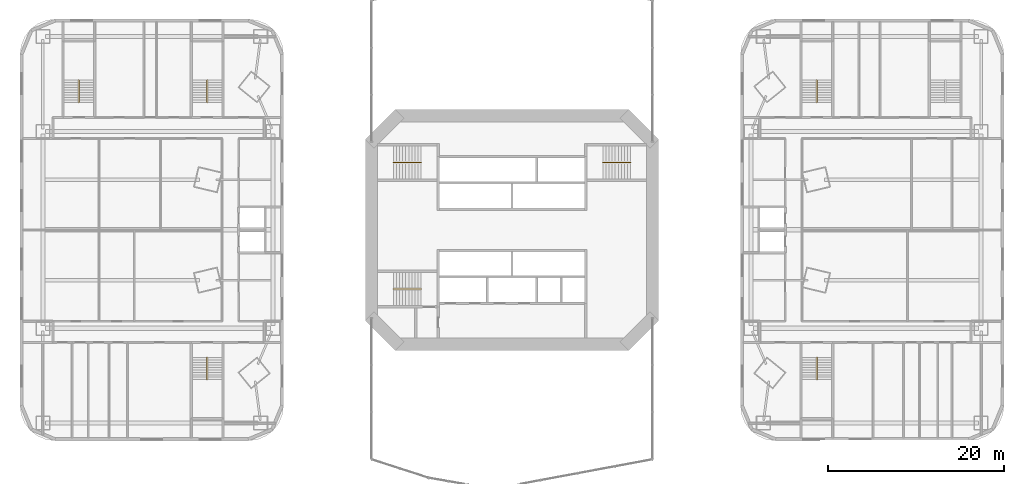
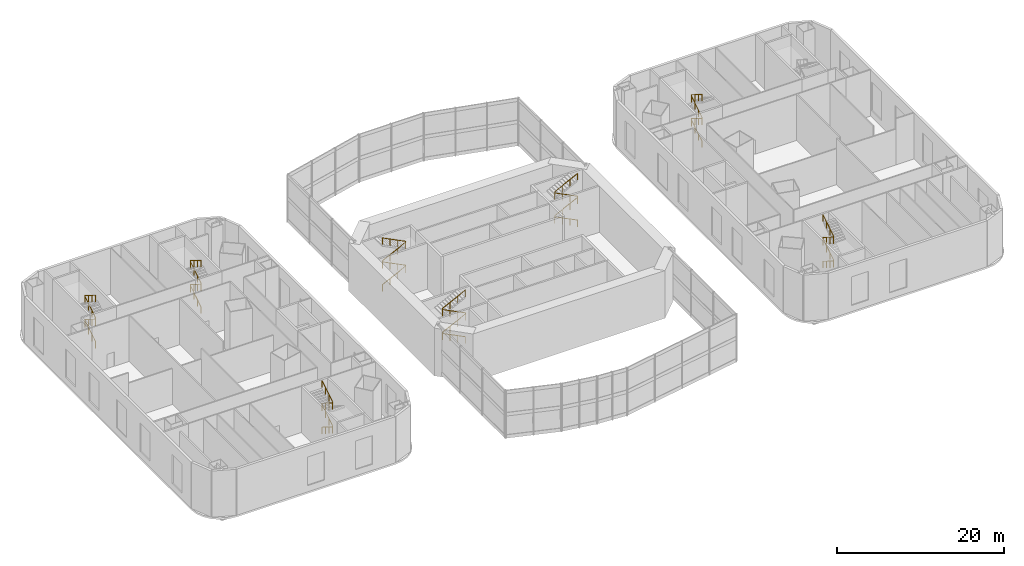
# One storey, part 18 of 19: 8 railings.
"""IFC4 building model written with IfcOpenShell, lengths in metres."""

from ifc_helpers import new_model, si_unit, direction, frame, origin, origin_2d, place, context, subcontext, project, spatial, circle, extrude, material, type_object, element, save


model = new_model("IFC4")

# Units and contexts
model_context = context("Model", 3, precision=1e-05, world=origin(), true_north=direction((0.0, 1.0)))
body_context = subcontext(model_context, "Body", "Model", "MODEL_VIEW")
ifc_project = project(units=[si_unit("LENGTHUNIT", "METRE"), si_unit("AREAUNIT", "SQUARE_METRE"), si_unit("VOLUMEUNIT", "CUBIC_METRE"), si_unit("PLANEANGLEUNIT", "RADIAN"), si_unit("MASSUNIT", "GRAM", prefix="KILO")], contexts=[model_context])

# Site, building, storey
site_placement = place(None, origin())
site = spatial("IfcSite", under=ifc_project, at=site_placement, CompositionType="ELEMENT")
building_placement = place(site_placement, origin())
building = spatial("IfcBuilding", under=site, at=building_placement, Name="Marenthal Gate Tower", CompositionType="ELEMENT")
storey_placement = place(building_placement, frame((0.0, 0.0, 12.0)))
storey = spatial("IfcBuildingStorey", under=building, at=storey_placement, Name="L01", CompositionType="ELEMENT", Elevation=12.0)

# Railings
ifc_material = material(Name="Stainless steel", Category="steel")
railing_type = type_object("IfcRailingType", Name="Stair handrail", PredefinedType="HANDRAIL", material=ifc_material)
railing_1_placement = place(storey_placement, frame((-13.5, 7.675048828125, 0.175048828125)))
element("IfcRailing", 1, at=railing_1_placement, inside=storey, type_object=railing_type, Name="Handrail ST1", PredefinedType="HANDRAIL", context=body_context, shape_type="SweptSolid", body=[
    extrude(circle(Radius=0.0224609375, at=origin_2d()), frame((0.0, 0.0, 0.927490234375), z_axis=(0.894427191, 0.0, 0.4472135955), x_axis=(0.0, 1.0, 0.0)), (0.0, 0.0, 1.0), 3.521728515625),
    extrude(circle(Radius=0.0224609375, at=origin_2d()), frame((3.14990234375, 0.0, 2.50244140625), z_axis=(0.0, 0.0, 1.0), x_axis=(1.0, 0.0, 0.0)), (0.0, 0.0, 1.0), 0.175048828125),
    extrude(circle(Radius=0.0224609375, at=origin_2d()), frame((3.14990234375, 0.0, 2.677490234375), z_axis=(-0.894427191, 0.0, 0.4472135955), x_axis=(0.0, -1.0, 0.0)), (0.0, 0.0, 1.0), 3.521728515625),
    extrude(circle(Radius=0.0224609375, at=origin_2d()), frame((0.0, 0.0, 4.25244140625), z_axis=(0.0, 0.0, 1.0), x_axis=(1.0, 0.0, 0.0)), (0.0, 0.0, 1.0), 0.175048828125),
    extrude(circle(Radius=0.0224609375, at=origin_2d()), frame((0.0, 0.0, 4.427490234375), z_axis=(0.894427191, 0.0, 0.4472135955), x_axis=(0.0, 1.0, 0.0)), (0.0, 0.0, 1.0), 3.521728515625),
    extrude(circle(Radius=0.0224609375, at=origin_2d()), frame((3.14990234375, 0.0, 6.00244140625), z_axis=(0.0, 0.0, 1.0), x_axis=(1.0, 0.0, 0.0)), (0.0, 0.0, 1.0), 0.175048828125),
    extrude(circle(Radius=0.0224609375, at=origin_2d()), frame((3.14990234375, 0.0, 6.177490234375), z_axis=(-0.894427191, 0.0, 0.4472135955), x_axis=(0.0, -1.0, 0.0)), (0.0, 0.0, 1.0), 3.521728515625),
    extrude(circle(Radius=0.02001953125, at=origin_2d()), origin(), (0.0, 0.0, 1.0), 0.905029296875),
    extrude(circle(Radius=0.02001953125, at=origin_2d()), frame((1.050048828125, 0.0, 0.52490234375)), (0.0, 0.0, 1.0), 0.905029296875),
    extrude(circle(Radius=0.02001953125, at=origin_2d()), frame((2.099853515625, 0.0, 1.050048828125)), (0.0, 0.0, 1.0), 0.905029296875),
    extrude(circle(Radius=0.02001953125, at=origin_2d()), frame((3.14990234375, 0.0, 1.574951171875)), (0.0, 0.0, 1.0), 0.905029296875),
    extrude(circle(Radius=0.02001953125, at=origin_2d()), frame((3.14990234375, 0.0, 1.75)), (0.0, 0.0, 1.0), 0.905029296875),
    extrude(circle(Radius=0.02001953125, at=origin_2d()), frame((2.099853515625, 0.0, 2.27490234375)), (0.0, 0.0, 1.0), 0.905029296875),
    extrude(circle(Radius=0.02001953125, at=origin_2d()), frame((1.050048828125, 0.0, 2.800048828125)), (0.0, 0.0, 1.0), 0.905029296875),
    extrude(circle(Radius=0.02001953125, at=origin_2d()), frame((0.0, 0.0, 3.324951171875)), (0.0, 0.0, 1.0), 0.905029296875),
    extrude(circle(Radius=0.02001953125, at=origin_2d()), frame((0.0, 0.0, 3.5)), (0.0, 0.0, 1.0), 0.905029296875),
    extrude(circle(Radius=0.02001953125, at=origin_2d()), frame((1.050048828125, 0.0, 4.02490234375)), (0.0, 0.0, 1.0), 0.905029296875),
    extrude(circle(Radius=0.02001953125, at=origin_2d()), frame((2.099853515625, 0.0, 4.550048828125)), (0.0, 0.0, 1.0), 0.905029296875),
    extrude(circle(Radius=0.02001953125, at=origin_2d()), frame((3.14990234375, 0.0, 5.074951171875)), (0.0, 0.0, 1.0), 0.905029296875),
    extrude(circle(Radius=0.02001953125, at=origin_2d()), frame((3.14990234375, 0.0, 5.25)), (0.0, 0.0, 1.0), 0.905029296875),
    extrude(circle(Radius=0.02001953125, at=origin_2d()), frame((2.099853515625, 0.0, 5.77490234375)), (0.0, 0.0, 1.0), 0.905029296875),
    extrude(circle(Radius=0.02001953125, at=origin_2d()), frame((1.050048828125, 0.0, 6.300048828125)), (0.0, 0.0, 1.0), 0.905029296875),
    extrude(circle(Radius=0.02001953125, at=origin_2d()), frame((0.0, 0.0, 6.824951171875)), (0.0, 0.0, 1.0), 0.905029296875),
])
railing_2_placement = place(storey_placement, frame((-10.35009765625, -6.72509765625, 0.175048828125)))
element("IfcRailing", 2, at=railing_2_placement, inside=storey, type_object=railing_type, Name="Handrail ST2", PredefinedType="HANDRAIL", context=body_context, shape_type="SweptSolid", body=[
    extrude(circle(Radius=0.0224609375, at=origin_2d()), frame((0.0, 0.0, 0.927490234375), z_axis=(-0.894427191, 0.0, 0.4472135955), x_axis=(0.0, -1.0, 0.0)), (0.0, 0.0, 1.0), 3.521728515625),
    extrude(circle(Radius=0.0224609375, at=origin_2d()), frame((-3.14990234375, 0.0, 2.50244140625), z_axis=(0.0, 0.0, 1.0), x_axis=(1.0, 0.0, 0.0)), (0.0, 0.0, 1.0), 0.175048828125),
    extrude(circle(Radius=0.0224609375, at=origin_2d()), frame((-3.14990234375, 0.0, 2.677490234375), z_axis=(0.894427191, 0.0, 0.4472135955), x_axis=(0.0, 1.0, 0.0)), (0.0, 0.0, 1.0), 3.521728515625),
    extrude(circle(Radius=0.0224609375, at=origin_2d()), frame((0.0, 0.0, 4.25244140625), z_axis=(0.0, 0.0, 1.0), x_axis=(1.0, 0.0, 0.0)), (0.0, 0.0, 1.0), 0.175048828125),
    extrude(circle(Radius=0.0224609375, at=origin_2d()), frame((0.0, 0.0, 4.427490234375), z_axis=(-0.894427191, 0.0, 0.4472135955), x_axis=(0.0, -1.0, 0.0)), (0.0, 0.0, 1.0), 3.521728515625),
    extrude(circle(Radius=0.0224609375, at=origin_2d()), frame((-3.14990234375, 0.0, 6.00244140625), z_axis=(0.0, 0.0, 1.0), x_axis=(1.0, 0.0, 0.0)), (0.0, 0.0, 1.0), 0.175048828125),
    extrude(circle(Radius=0.0224609375, at=origin_2d()), frame((-3.14990234375, 0.0, 6.177490234375), z_axis=(0.894427191, 0.0, 0.4472135955), x_axis=(0.0, 1.0, 0.0)), (0.0, 0.0, 1.0), 3.521728515625),
    extrude(circle(Radius=0.02001953125, at=origin_2d()), origin(), (0.0, 0.0, 1.0), 0.905029296875),
    extrude(circle(Radius=0.02001953125, at=origin_2d()), frame((-1.050048828125, 0.0, 0.52490234375)), (0.0, 0.0, 1.0), 0.905029296875),
    extrude(circle(Radius=0.02001953125, at=origin_2d()), frame((-2.099853515625, 0.0, 1.050048828125)), (0.0, 0.0, 1.0), 0.905029296875),
    extrude(circle(Radius=0.02001953125, at=origin_2d()), frame((-3.14990234375, 0.0, 1.574951171875)), (0.0, 0.0, 1.0), 0.905029296875),
    extrude(circle(Radius=0.02001953125, at=origin_2d()), frame((-3.14990234375, 0.0, 1.75)), (0.0, 0.0, 1.0), 0.905029296875),
    extrude(circle(Radius=0.02001953125, at=origin_2d()), frame((-2.099853515625, 0.0, 2.27490234375)), (0.0, 0.0, 1.0), 0.905029296875),
    extrude(circle(Radius=0.02001953125, at=origin_2d()), frame((-1.050048828125, 0.0, 2.800048828125)), (0.0, 0.0, 1.0), 0.905029296875),
    extrude(circle(Radius=0.02001953125, at=origin_2d()), frame((0.0, 0.0, 3.324951171875)), (0.0, 0.0, 1.0), 0.905029296875),
    extrude(circle(Radius=0.02001953125, at=origin_2d()), frame((0.0, 0.0, 3.5)), (0.0, 0.0, 1.0), 0.905029296875),
    extrude(circle(Radius=0.02001953125, at=origin_2d()), frame((-1.050048828125, 0.0, 4.02490234375)), (0.0, 0.0, 1.0), 0.905029296875),
    extrude(circle(Radius=0.02001953125, at=origin_2d()), frame((-2.099853515625, 0.0, 4.550048828125)), (0.0, 0.0, 1.0), 0.905029296875),
    extrude(circle(Radius=0.02001953125, at=origin_2d()), frame((-3.14990234375, 0.0, 5.074951171875)), (0.0, 0.0, 1.0), 0.905029296875),
    extrude(circle(Radius=0.02001953125, at=origin_2d()), frame((-3.14990234375, 0.0, 5.25)), (0.0, 0.0, 1.0), 0.905029296875),
    extrude(circle(Radius=0.02001953125, at=origin_2d()), frame((-2.099853515625, 0.0, 5.77490234375)), (0.0, 0.0, 1.0), 0.905029296875),
    extrude(circle(Radius=0.02001953125, at=origin_2d()), frame((-1.050048828125, 0.0, 6.300048828125)), (0.0, 0.0, 1.0), 0.905029296875),
    extrude(circle(Radius=0.02001953125, at=origin_2d()), frame((0.0, 0.0, 6.824951171875)), (0.0, 0.0, 1.0), 0.905029296875),
])
railing_3_placement = place(storey_placement, frame((13.5, 7.675048828125, 0.175048828125)))
element("IfcRailing", 3, at=railing_3_placement, inside=storey, type_object=railing_type, Name="Handrail ST3", PredefinedType="HANDRAIL", context=body_context, shape_type="SweptSolid", body=[
    extrude(circle(Radius=0.0224609375, at=origin_2d()), frame((0.0, 0.0, 0.927490234375), z_axis=(-0.894427191, 0.0, 0.4472135955), x_axis=(0.0, -1.0, 0.0)), (0.0, 0.0, 1.0), 3.521728515625),
    extrude(circle(Radius=0.0224609375, at=origin_2d()), frame((-3.14990234375, 0.0, 2.50244140625), z_axis=(0.0, 0.0, 1.0), x_axis=(1.0, 0.0, 0.0)), (0.0, 0.0, 1.0), 0.175048828125),
    extrude(circle(Radius=0.0224609375, at=origin_2d()), frame((-3.14990234375, 0.0, 2.677490234375), z_axis=(0.894427191, 0.0, 0.4472135955), x_axis=(0.0, 1.0, 0.0)), (0.0, 0.0, 1.0), 3.521728515625),
    extrude(circle(Radius=0.0224609375, at=origin_2d()), frame((0.0, 0.0, 4.25244140625), z_axis=(0.0, 0.0, 1.0), x_axis=(1.0, 0.0, 0.0)), (0.0, 0.0, 1.0), 0.175048828125),
    extrude(circle(Radius=0.0224609375, at=origin_2d()), frame((0.0, 0.0, 4.427490234375), z_axis=(-0.894427191, 0.0, 0.4472135955), x_axis=(0.0, -1.0, 0.0)), (0.0, 0.0, 1.0), 3.521728515625),
    extrude(circle(Radius=0.0224609375, at=origin_2d()), frame((-3.14990234375, 0.0, 6.00244140625), z_axis=(0.0, 0.0, 1.0), x_axis=(1.0, 0.0, 0.0)), (0.0, 0.0, 1.0), 0.175048828125),
    extrude(circle(Radius=0.0224609375, at=origin_2d()), frame((-3.14990234375, 0.0, 6.177490234375), z_axis=(0.894427191, 0.0, 0.4472135955), x_axis=(0.0, 1.0, 0.0)), (0.0, 0.0, 1.0), 3.521728515625),
    extrude(circle(Radius=0.02001953125, at=origin_2d()), origin(), (0.0, 0.0, 1.0), 0.905029296875),
    extrude(circle(Radius=0.02001953125, at=origin_2d()), frame((-1.050048828125, 0.0, 0.52490234375)), (0.0, 0.0, 1.0), 0.905029296875),
    extrude(circle(Radius=0.02001953125, at=origin_2d()), frame((-2.099853515625, 0.0, 1.050048828125)), (0.0, 0.0, 1.0), 0.905029296875),
    extrude(circle(Radius=0.02001953125, at=origin_2d()), frame((-3.14990234375, 0.0, 1.574951171875)), (0.0, 0.0, 1.0), 0.905029296875),
    extrude(circle(Radius=0.02001953125, at=origin_2d()), frame((-3.14990234375, 0.0, 1.75)), (0.0, 0.0, 1.0), 0.905029296875),
    extrude(circle(Radius=0.02001953125, at=origin_2d()), frame((-2.099853515625, 0.0, 2.27490234375)), (0.0, 0.0, 1.0), 0.905029296875),
    extrude(circle(Radius=0.02001953125, at=origin_2d()), frame((-1.050048828125, 0.0, 2.800048828125)), (0.0, 0.0, 1.0), 0.905029296875),
    extrude(circle(Radius=0.02001953125, at=origin_2d()), frame((0.0, 0.0, 3.324951171875)), (0.0, 0.0, 1.0), 0.905029296875),
    extrude(circle(Radius=0.02001953125, at=origin_2d()), frame((0.0, 0.0, 3.5)), (0.0, 0.0, 1.0), 0.905029296875),
    extrude(circle(Radius=0.02001953125, at=origin_2d()), frame((-1.050048828125, 0.0, 4.02490234375)), (0.0, 0.0, 1.0), 0.905029296875),
    extrude(circle(Radius=0.02001953125, at=origin_2d()), frame((-2.099853515625, 0.0, 4.550048828125)), (0.0, 0.0, 1.0), 0.905029296875),
    extrude(circle(Radius=0.02001953125, at=origin_2d()), frame((-3.14990234375, 0.0, 5.074951171875)), (0.0, 0.0, 1.0), 0.905029296875),
    extrude(circle(Radius=0.02001953125, at=origin_2d()), frame((-3.14990234375, 0.0, 5.25)), (0.0, 0.0, 1.0), 0.905029296875),
    extrude(circle(Radius=0.02001953125, at=origin_2d()), frame((-2.099853515625, 0.0, 5.77490234375)), (0.0, 0.0, 1.0), 0.905029296875),
    extrude(circle(Radius=0.02001953125, at=origin_2d()), frame((-1.050048828125, 0.0, 6.300048828125)), (0.0, 0.0, 1.0), 0.905029296875),
    extrude(circle(Radius=0.02001953125, at=origin_2d()), frame((0.0, 0.0, 6.824951171875)), (0.0, 0.0, 1.0), 0.905029296875),
])
railing_4_placement = place(storey_placement, frame((34.699951171875, 14.52490234375, 0.175048828125)))
element("IfcRailing", 4, at=railing_4_placement, inside=storey, type_object=railing_type, Name="Handrail E1", PredefinedType="HANDRAIL", context=body_context, shape_type="SweptSolid", body=[
    extrude(circle(Radius=0.0224609375, at=origin_2d()), frame((0.0, 0.0, 0.927490234375), z_axis=(0.0, 0.848007534815, 0.529984170421), x_axis=(-1.0, 0.0, 0.0)), (0.0, 0.0, 1.0), 2.9716796875),
    extrude(circle(Radius=0.0224609375, at=origin_2d()), frame((0.0, 2.52001953125, 2.50244140625), z_axis=(0.0, 0.0, 1.0), x_axis=(1.0, 0.0, 0.0)), (0.0, 0.0, 1.0), 0.175048828125),
    extrude(circle(Radius=0.0224609375, at=origin_2d()), frame((0.0, 2.52001953125, 2.677490234375), z_axis=(0.0, -0.848007534815, 0.529984170421), x_axis=(1.0, 0.0, 0.0)), (0.0, 0.0, 1.0), 2.9716796875),
    extrude(circle(Radius=0.0224609375, at=origin_2d()), frame((0.0, 0.0, 4.25244140625), z_axis=(0.0, 0.0, 1.0), x_axis=(1.0, 0.0, 0.0)), (0.0, 0.0, 1.0), 0.175048828125),
    extrude(circle(Radius=0.0224609375, at=origin_2d()), frame((0.0, 0.0, 4.427490234375), z_axis=(0.0, 0.848007534815, 0.529984170421), x_axis=(-1.0, 0.0, 0.0)), (0.0, 0.0, 1.0), 2.9716796875),
    extrude(circle(Radius=0.0224609375, at=origin_2d()), frame((0.0, 2.52001953125, 6.00244140625), z_axis=(0.0, 0.0, 1.0), x_axis=(1.0, 0.0, 0.0)), (0.0, 0.0, 1.0), 0.175048828125),
    extrude(circle(Radius=0.0224609375, at=origin_2d()), frame((0.0, 2.52001953125, 6.177490234375), z_axis=(0.0, -0.848007534815, 0.529984170421), x_axis=(1.0, 0.0, 0.0)), (0.0, 0.0, 1.0), 2.9716796875),
    extrude(circle(Radius=0.02001953125, at=origin_2d()), origin(), (0.0, 0.0, 1.0), 0.905029296875),
    extrude(circle(Radius=0.02001953125, at=origin_2d()), frame((0.0, 0.840087890625, 0.52490234375)), (0.0, 0.0, 1.0), 0.905029296875),
    extrude(circle(Radius=0.02001953125, at=origin_2d()), frame((0.0, 1.679931640625, 1.050048828125)), (0.0, 0.0, 1.0), 0.905029296875),
    extrude(circle(Radius=0.02001953125, at=origin_2d()), frame((0.0, 2.52001953125, 1.574951171875)), (0.0, 0.0, 1.0), 0.905029296875),
    extrude(circle(Radius=0.02001953125, at=origin_2d()), frame((0.0, 2.52001953125, 1.75)), (0.0, 0.0, 1.0), 0.905029296875),
    extrude(circle(Radius=0.02001953125, at=origin_2d()), frame((0.0, 1.679931640625, 2.27490234375)), (0.0, 0.0, 1.0), 0.905029296875),
    extrude(circle(Radius=0.02001953125, at=origin_2d()), frame((0.0, 0.840087890625, 2.800048828125)), (0.0, 0.0, 1.0), 0.905029296875),
    extrude(circle(Radius=0.02001953125, at=origin_2d()), frame((0.0, 0.0, 3.324951171875)), (0.0, 0.0, 1.0), 0.905029296875),
    extrude(circle(Radius=0.02001953125, at=origin_2d()), frame((0.0, 0.0, 3.5)), (0.0, 0.0, 1.0), 0.905029296875),
    extrude(circle(Radius=0.02001953125, at=origin_2d()), frame((0.0, 0.840087890625, 4.02490234375)), (0.0, 0.0, 1.0), 0.905029296875),
    extrude(circle(Radius=0.02001953125, at=origin_2d()), frame((0.0, 1.679931640625, 4.550048828125)), (0.0, 0.0, 1.0), 0.905029296875),
    extrude(circle(Radius=0.02001953125, at=origin_2d()), frame((0.0, 2.52001953125, 5.074951171875)), (0.0, 0.0, 1.0), 0.905029296875),
    extrude(circle(Radius=0.02001953125, at=origin_2d()), frame((0.0, 2.52001953125, 5.25)), (0.0, 0.0, 1.0), 0.905029296875),
    extrude(circle(Radius=0.02001953125, at=origin_2d()), frame((0.0, 1.679931640625, 5.77490234375)), (0.0, 0.0, 1.0), 0.905029296875),
    extrude(circle(Radius=0.02001953125, at=origin_2d()), frame((0.0, 0.840087890625, 6.300048828125)), (0.0, 0.0, 1.0), 0.905029296875),
    extrude(circle(Radius=0.02001953125, at=origin_2d()), frame((0.0, 0.0, 6.824951171875)), (0.0, 0.0, 1.0), 0.905029296875),
])
railing_5_placement = place(storey_placement, frame((34.699951171875, -14.52490234375, 0.175048828125)))
element("IfcRailing", 5, at=railing_5_placement, inside=storey, type_object=railing_type, Name="Handrail E2", PredefinedType="HANDRAIL", context=body_context, shape_type="SweptSolid", body=[
    extrude(circle(Radius=0.0224609375, at=origin_2d()), frame((0.0, 0.0, 0.927490234375), z_axis=(0.0, -0.848007534815, 0.529984170421), x_axis=(1.0, 0.0, 0.0)), (0.0, 0.0, 1.0), 2.9716796875),
    extrude(circle(Radius=0.0224609375, at=origin_2d()), frame((0.0, -2.52001953125, 2.50244140625), z_axis=(0.0, 0.0, 1.0), x_axis=(1.0, 0.0, 0.0)), (0.0, 0.0, 1.0), 0.175048828125),
    extrude(circle(Radius=0.0224609375, at=origin_2d()), frame((0.0, -2.52001953125, 2.677490234375), z_axis=(0.0, 0.848007534815, 0.529984170421), x_axis=(-1.0, 0.0, 0.0)), (0.0, 0.0, 1.0), 2.9716796875),
    extrude(circle(Radius=0.0224609375, at=origin_2d()), frame((0.0, 0.0, 4.25244140625), z_axis=(0.0, 0.0, 1.0), x_axis=(1.0, 0.0, 0.0)), (0.0, 0.0, 1.0), 0.175048828125),
    extrude(circle(Radius=0.0224609375, at=origin_2d()), frame((0.0, 0.0, 4.427490234375), z_axis=(0.0, -0.848007534815, 0.529984170421), x_axis=(1.0, 0.0, 0.0)), (0.0, 0.0, 1.0), 2.9716796875),
    extrude(circle(Radius=0.0224609375, at=origin_2d()), frame((0.0, -2.52001953125, 6.00244140625), z_axis=(0.0, 0.0, 1.0), x_axis=(1.0, 0.0, 0.0)), (0.0, 0.0, 1.0), 0.175048828125),
    extrude(circle(Radius=0.0224609375, at=origin_2d()), frame((0.0, -2.52001953125, 6.177490234375), z_axis=(0.0, 0.848007534815, 0.529984170421), x_axis=(-1.0, 0.0, 0.0)), (0.0, 0.0, 1.0), 2.9716796875),
    extrude(circle(Radius=0.02001953125, at=origin_2d()), origin(), (0.0, 0.0, 1.0), 0.905029296875),
    extrude(circle(Radius=0.02001953125, at=origin_2d()), frame((0.0, -0.840087890625, 0.52490234375)), (0.0, 0.0, 1.0), 0.905029296875),
    extrude(circle(Radius=0.02001953125, at=origin_2d()), frame((0.0, -1.679931640625, 1.050048828125)), (0.0, 0.0, 1.0), 0.905029296875),
    extrude(circle(Radius=0.02001953125, at=origin_2d()), frame((0.0, -2.52001953125, 1.574951171875)), (0.0, 0.0, 1.0), 0.905029296875),
    extrude(circle(Radius=0.02001953125, at=origin_2d()), frame((0.0, -2.52001953125, 1.75)), (0.0, 0.0, 1.0), 0.905029296875),
    extrude(circle(Radius=0.02001953125, at=origin_2d()), frame((0.0, -1.679931640625, 2.27490234375)), (0.0, 0.0, 1.0), 0.905029296875),
    extrude(circle(Radius=0.02001953125, at=origin_2d()), frame((0.0, -0.840087890625, 2.800048828125)), (0.0, 0.0, 1.0), 0.905029296875),
    extrude(circle(Radius=0.02001953125, at=origin_2d()), frame((0.0, 0.0, 3.324951171875)), (0.0, 0.0, 1.0), 0.905029296875),
    extrude(circle(Radius=0.02001953125, at=origin_2d()), frame((0.0, 0.0, 3.5)), (0.0, 0.0, 1.0), 0.905029296875),
    extrude(circle(Radius=0.02001953125, at=origin_2d()), frame((0.0, -0.840087890625, 4.02490234375)), (0.0, 0.0, 1.0), 0.905029296875),
    extrude(circle(Radius=0.02001953125, at=origin_2d()), frame((0.0, -1.679931640625, 4.550048828125)), (0.0, 0.0, 1.0), 0.905029296875),
    extrude(circle(Radius=0.02001953125, at=origin_2d()), frame((0.0, -2.52001953125, 5.074951171875)), (0.0, 0.0, 1.0), 0.905029296875),
    extrude(circle(Radius=0.02001953125, at=origin_2d()), frame((0.0, -2.52001953125, 5.25)), (0.0, 0.0, 1.0), 0.905029296875),
    extrude(circle(Radius=0.02001953125, at=origin_2d()), frame((0.0, -1.679931640625, 5.77490234375)), (0.0, 0.0, 1.0), 0.905029296875),
    extrude(circle(Radius=0.02001953125, at=origin_2d()), frame((0.0, -0.840087890625, 6.300048828125)), (0.0, 0.0, 1.0), 0.905029296875),
    extrude(circle(Radius=0.02001953125, at=origin_2d()), frame((0.0, 0.0, 6.824951171875)), (0.0, 0.0, 1.0), 0.905029296875),
])
railing_6_placement = place(storey_placement, frame((-34.699951171875, 14.52490234375, 0.175048828125)))
element("IfcRailing", 6, at=railing_6_placement, inside=storey, type_object=railing_type, Name="Handrail W1", PredefinedType="HANDRAIL", context=body_context, shape_type="SweptSolid", body=[
    extrude(circle(Radius=0.0224609375, at=origin_2d()), frame((0.0, 0.0, 0.927490234375), z_axis=(0.0, 0.848007534815, 0.529984170421), x_axis=(-1.0, 0.0, 0.0)), (0.0, 0.0, 1.0), 2.9716796875),
    extrude(circle(Radius=0.0224609375, at=origin_2d()), frame((0.0, 2.52001953125, 2.50244140625), z_axis=(0.0, 0.0, 1.0), x_axis=(1.0, 0.0, 0.0)), (0.0, 0.0, 1.0), 0.175048828125),
    extrude(circle(Radius=0.0224609375, at=origin_2d()), frame((0.0, 2.52001953125, 2.677490234375), z_axis=(0.0, -0.848007534815, 0.529984170421), x_axis=(1.0, 0.0, 0.0)), (0.0, 0.0, 1.0), 2.9716796875),
    extrude(circle(Radius=0.0224609375, at=origin_2d()), frame((0.0, 0.0, 4.25244140625), z_axis=(0.0, 0.0, 1.0), x_axis=(1.0, 0.0, 0.0)), (0.0, 0.0, 1.0), 0.175048828125),
    extrude(circle(Radius=0.0224609375, at=origin_2d()), frame((0.0, 0.0, 4.427490234375), z_axis=(0.0, 0.848007534815, 0.529984170421), x_axis=(-1.0, 0.0, 0.0)), (0.0, 0.0, 1.0), 2.9716796875),
    extrude(circle(Radius=0.0224609375, at=origin_2d()), frame((0.0, 2.52001953125, 6.00244140625), z_axis=(0.0, 0.0, 1.0), x_axis=(1.0, 0.0, 0.0)), (0.0, 0.0, 1.0), 0.175048828125),
    extrude(circle(Radius=0.0224609375, at=origin_2d()), frame((0.0, 2.52001953125, 6.177490234375), z_axis=(0.0, -0.848007534815, 0.529984170421), x_axis=(1.0, 0.0, 0.0)), (0.0, 0.0, 1.0), 2.9716796875),
    extrude(circle(Radius=0.02001953125, at=origin_2d()), origin(), (0.0, 0.0, 1.0), 0.905029296875),
    extrude(circle(Radius=0.02001953125, at=origin_2d()), frame((0.0, 0.840087890625, 0.52490234375)), (0.0, 0.0, 1.0), 0.905029296875),
    extrude(circle(Radius=0.02001953125, at=origin_2d()), frame((0.0, 1.679931640625, 1.050048828125)), (0.0, 0.0, 1.0), 0.905029296875),
    extrude(circle(Radius=0.02001953125, at=origin_2d()), frame((0.0, 2.52001953125, 1.574951171875)), (0.0, 0.0, 1.0), 0.905029296875),
    extrude(circle(Radius=0.02001953125, at=origin_2d()), frame((0.0, 2.52001953125, 1.75)), (0.0, 0.0, 1.0), 0.905029296875),
    extrude(circle(Radius=0.02001953125, at=origin_2d()), frame((0.0, 1.679931640625, 2.27490234375)), (0.0, 0.0, 1.0), 0.905029296875),
    extrude(circle(Radius=0.02001953125, at=origin_2d()), frame((0.0, 0.840087890625, 2.800048828125)), (0.0, 0.0, 1.0), 0.905029296875),
    extrude(circle(Radius=0.02001953125, at=origin_2d()), frame((0.0, 0.0, 3.324951171875)), (0.0, 0.0, 1.0), 0.905029296875),
    extrude(circle(Radius=0.02001953125, at=origin_2d()), frame((0.0, 0.0, 3.5)), (0.0, 0.0, 1.0), 0.905029296875),
    extrude(circle(Radius=0.02001953125, at=origin_2d()), frame((0.0, 0.840087890625, 4.02490234375)), (0.0, 0.0, 1.0), 0.905029296875),
    extrude(circle(Radius=0.02001953125, at=origin_2d()), frame((0.0, 1.679931640625, 4.550048828125)), (0.0, 0.0, 1.0), 0.905029296875),
    extrude(circle(Radius=0.02001953125, at=origin_2d()), frame((0.0, 2.52001953125, 5.074951171875)), (0.0, 0.0, 1.0), 0.905029296875),
    extrude(circle(Radius=0.02001953125, at=origin_2d()), frame((0.0, 2.52001953125, 5.25)), (0.0, 0.0, 1.0), 0.905029296875),
    extrude(circle(Radius=0.02001953125, at=origin_2d()), frame((0.0, 1.679931640625, 5.77490234375)), (0.0, 0.0, 1.0), 0.905029296875),
    extrude(circle(Radius=0.02001953125, at=origin_2d()), frame((0.0, 0.840087890625, 6.300048828125)), (0.0, 0.0, 1.0), 0.905029296875),
    extrude(circle(Radius=0.02001953125, at=origin_2d()), frame((0.0, 0.0, 6.824951171875)), (0.0, 0.0, 1.0), 0.905029296875),
])
railing_7_placement = place(storey_placement, frame((-34.699951171875, -14.52490234375, 0.175048828125)))
element("IfcRailing", 7, at=railing_7_placement, inside=storey, type_object=railing_type, Name="Handrail W2", PredefinedType="HANDRAIL", context=body_context, shape_type="SweptSolid", body=[
    extrude(circle(Radius=0.0224609375, at=origin_2d()), frame((0.0, 0.0, 0.927490234375), z_axis=(0.0, -0.848007534815, 0.529984170421), x_axis=(1.0, 0.0, 0.0)), (0.0, 0.0, 1.0), 2.9716796875),
    extrude(circle(Radius=0.0224609375, at=origin_2d()), frame((0.0, -2.52001953125, 2.50244140625), z_axis=(0.0, 0.0, 1.0), x_axis=(1.0, 0.0, 0.0)), (0.0, 0.0, 1.0), 0.175048828125),
    extrude(circle(Radius=0.0224609375, at=origin_2d()), frame((0.0, -2.52001953125, 2.677490234375), z_axis=(0.0, 0.848007534815, 0.529984170421), x_axis=(-1.0, 0.0, 0.0)), (0.0, 0.0, 1.0), 2.9716796875),
    extrude(circle(Radius=0.0224609375, at=origin_2d()), frame((0.0, 0.0, 4.25244140625), z_axis=(0.0, 0.0, 1.0), x_axis=(1.0, 0.0, 0.0)), (0.0, 0.0, 1.0), 0.175048828125),
    extrude(circle(Radius=0.0224609375, at=origin_2d()), frame((0.0, 0.0, 4.427490234375), z_axis=(0.0, -0.848007534815, 0.529984170421), x_axis=(1.0, 0.0, 0.0)), (0.0, 0.0, 1.0), 2.9716796875),
    extrude(circle(Radius=0.0224609375, at=origin_2d()), frame((0.0, -2.52001953125, 6.00244140625), z_axis=(0.0, 0.0, 1.0), x_axis=(1.0, 0.0, 0.0)), (0.0, 0.0, 1.0), 0.175048828125),
    extrude(circle(Radius=0.0224609375, at=origin_2d()), frame((0.0, -2.52001953125, 6.177490234375), z_axis=(0.0, 0.848007534815, 0.529984170421), x_axis=(-1.0, 0.0, 0.0)), (0.0, 0.0, 1.0), 2.9716796875),
    extrude(circle(Radius=0.02001953125, at=origin_2d()), origin(), (0.0, 0.0, 1.0), 0.905029296875),
    extrude(circle(Radius=0.02001953125, at=origin_2d()), frame((0.0, -0.840087890625, 0.52490234375)), (0.0, 0.0, 1.0), 0.905029296875),
    extrude(circle(Radius=0.02001953125, at=origin_2d()), frame((0.0, -1.679931640625, 1.050048828125)), (0.0, 0.0, 1.0), 0.905029296875),
    extrude(circle(Radius=0.02001953125, at=origin_2d()), frame((0.0, -2.52001953125, 1.574951171875)), (0.0, 0.0, 1.0), 0.905029296875),
    extrude(circle(Radius=0.02001953125, at=origin_2d()), frame((0.0, -2.52001953125, 1.75)), (0.0, 0.0, 1.0), 0.905029296875),
    extrude(circle(Radius=0.02001953125, at=origin_2d()), frame((0.0, -1.679931640625, 2.27490234375)), (0.0, 0.0, 1.0), 0.905029296875),
    extrude(circle(Radius=0.02001953125, at=origin_2d()), frame((0.0, -0.840087890625, 2.800048828125)), (0.0, 0.0, 1.0), 0.905029296875),
    extrude(circle(Radius=0.02001953125, at=origin_2d()), frame((0.0, 0.0, 3.324951171875)), (0.0, 0.0, 1.0), 0.905029296875),
    extrude(circle(Radius=0.02001953125, at=origin_2d()), frame((0.0, 0.0, 3.5)), (0.0, 0.0, 1.0), 0.905029296875),
    extrude(circle(Radius=0.02001953125, at=origin_2d()), frame((0.0, -0.840087890625, 4.02490234375)), (0.0, 0.0, 1.0), 0.905029296875),
    extrude(circle(Radius=0.02001953125, at=origin_2d()), frame((0.0, -1.679931640625, 4.550048828125)), (0.0, 0.0, 1.0), 0.905029296875),
    extrude(circle(Radius=0.02001953125, at=origin_2d()), frame((0.0, -2.52001953125, 5.074951171875)), (0.0, 0.0, 1.0), 0.905029296875),
    extrude(circle(Radius=0.02001953125, at=origin_2d()), frame((0.0, -2.52001953125, 5.25)), (0.0, 0.0, 1.0), 0.905029296875),
    extrude(circle(Radius=0.02001953125, at=origin_2d()), frame((0.0, -1.679931640625, 5.77490234375)), (0.0, 0.0, 1.0), 0.905029296875),
    extrude(circle(Radius=0.02001953125, at=origin_2d()), frame((0.0, -0.840087890625, 6.300048828125)), (0.0, 0.0, 1.0), 0.905029296875),
    extrude(circle(Radius=0.02001953125, at=origin_2d()), frame((0.0, 0.0, 6.824951171875)), (0.0, 0.0, 1.0), 0.905029296875),
])
railing_8_placement = place(storey_placement, frame((-49.300048828125, 14.52490234375, 0.175048828125)))
element("IfcRailing", 8, at=railing_8_placement, inside=storey, type_object=railing_type, Name="Handrail W3", PredefinedType="HANDRAIL", context=body_context, shape_type="SweptSolid", body=[
    extrude(circle(Radius=0.0224609375, at=origin_2d()), frame((0.0, 0.0, 0.927490234375), z_axis=(0.0, 0.848007534815, 0.529984170421), x_axis=(-1.0, 0.0, 0.0)), (0.0, 0.0, 1.0), 2.9716796875),
    extrude(circle(Radius=0.0224609375, at=origin_2d()), frame((0.0, 2.52001953125, 2.50244140625), z_axis=(0.0, 0.0, 1.0), x_axis=(1.0, 0.0, 0.0)), (0.0, 0.0, 1.0), 0.175048828125),
    extrude(circle(Radius=0.0224609375, at=origin_2d()), frame((0.0, 2.52001953125, 2.677490234375), z_axis=(0.0, -0.848007534815, 0.529984170421), x_axis=(1.0, 0.0, 0.0)), (0.0, 0.0, 1.0), 2.9716796875),
    extrude(circle(Radius=0.0224609375, at=origin_2d()), frame((0.0, 0.0, 4.25244140625), z_axis=(0.0, 0.0, 1.0), x_axis=(1.0, 0.0, 0.0)), (0.0, 0.0, 1.0), 0.175048828125),
    extrude(circle(Radius=0.0224609375, at=origin_2d()), frame((0.0, 0.0, 4.427490234375), z_axis=(0.0, 0.848007534815, 0.529984170421), x_axis=(-1.0, 0.0, 0.0)), (0.0, 0.0, 1.0), 2.9716796875),
    extrude(circle(Radius=0.0224609375, at=origin_2d()), frame((0.0, 2.52001953125, 6.00244140625), z_axis=(0.0, 0.0, 1.0), x_axis=(1.0, 0.0, 0.0)), (0.0, 0.0, 1.0), 0.175048828125),
    extrude(circle(Radius=0.0224609375, at=origin_2d()), frame((0.0, 2.52001953125, 6.177490234375), z_axis=(0.0, -0.848007534815, 0.529984170421), x_axis=(1.0, 0.0, 0.0)), (0.0, 0.0, 1.0), 2.9716796875),
    extrude(circle(Radius=0.02001953125, at=origin_2d()), origin(), (0.0, 0.0, 1.0), 0.905029296875),
    extrude(circle(Radius=0.02001953125, at=origin_2d()), frame((0.0, 0.840087890625, 0.52490234375)), (0.0, 0.0, 1.0), 0.905029296875),
    extrude(circle(Radius=0.02001953125, at=origin_2d()), frame((0.0, 1.679931640625, 1.050048828125)), (0.0, 0.0, 1.0), 0.905029296875),
    extrude(circle(Radius=0.02001953125, at=origin_2d()), frame((0.0, 2.52001953125, 1.574951171875)), (0.0, 0.0, 1.0), 0.905029296875),
    extrude(circle(Radius=0.02001953125, at=origin_2d()), frame((0.0, 2.52001953125, 1.75)), (0.0, 0.0, 1.0), 0.905029296875),
    extrude(circle(Radius=0.02001953125, at=origin_2d()), frame((0.0, 1.679931640625, 2.27490234375)), (0.0, 0.0, 1.0), 0.905029296875),
    extrude(circle(Radius=0.02001953125, at=origin_2d()), frame((0.0, 0.840087890625, 2.800048828125)), (0.0, 0.0, 1.0), 0.905029296875),
    extrude(circle(Radius=0.02001953125, at=origin_2d()), frame((0.0, 0.0, 3.324951171875)), (0.0, 0.0, 1.0), 0.905029296875),
    extrude(circle(Radius=0.02001953125, at=origin_2d()), frame((0.0, 0.0, 3.5)), (0.0, 0.0, 1.0), 0.905029296875),
    extrude(circle(Radius=0.02001953125, at=origin_2d()), frame((0.0, 0.840087890625, 4.02490234375)), (0.0, 0.0, 1.0), 0.905029296875),
    extrude(circle(Radius=0.02001953125, at=origin_2d()), frame((0.0, 1.679931640625, 4.550048828125)), (0.0, 0.0, 1.0), 0.905029296875),
    extrude(circle(Radius=0.02001953125, at=origin_2d()), frame((0.0, 2.52001953125, 5.074951171875)), (0.0, 0.0, 1.0), 0.905029296875),
    extrude(circle(Radius=0.02001953125, at=origin_2d()), frame((0.0, 2.52001953125, 5.25)), (0.0, 0.0, 1.0), 0.905029296875),
    extrude(circle(Radius=0.02001953125, at=origin_2d()), frame((0.0, 1.679931640625, 5.77490234375)), (0.0, 0.0, 1.0), 0.905029296875),
    extrude(circle(Radius=0.02001953125, at=origin_2d()), frame((0.0, 0.840087890625, 6.300048828125)), (0.0, 0.0, 1.0), 0.905029296875),
    extrude(circle(Radius=0.02001953125, at=origin_2d()), frame((0.0, 0.0, 6.824951171875)), (0.0, 0.0, 1.0), 0.905029296875),
])

save(model, "model.ifc")
